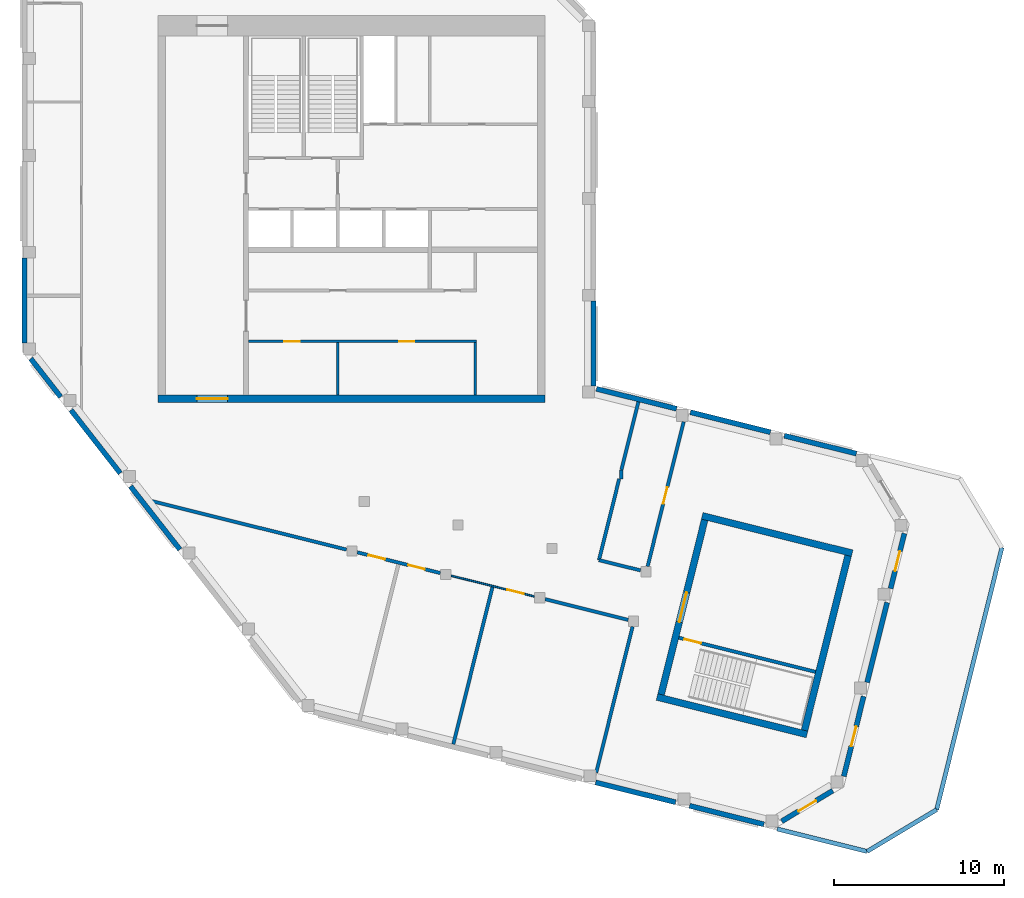
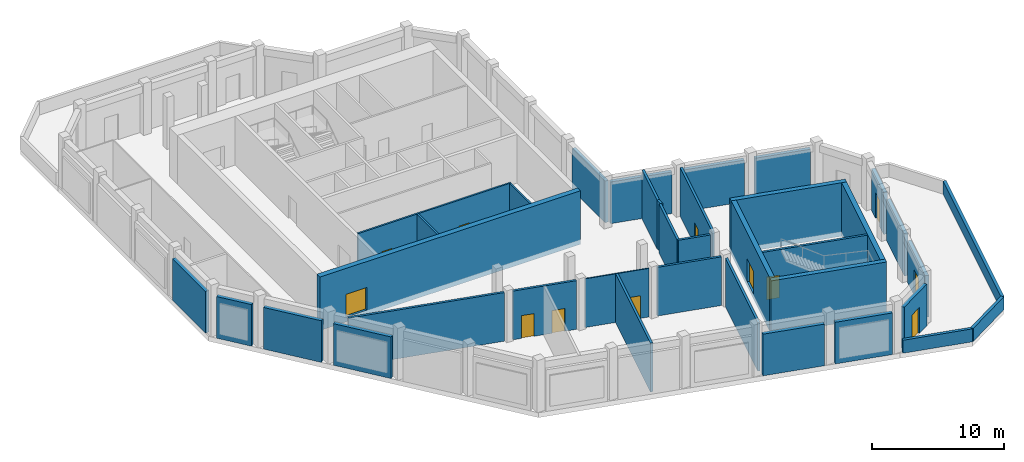
# One storey, part 2 of 5: 37 walls, 12 doors, 12 openings.
"""IFC4 building model written with IfcOpenShell, lengths in metres."""

from ifc_helpers import new_model, si_unit, direction, frame, frame_2d, origin, place, context, subcontext, project, spatial, rectangle, extrude, material, layer, layer_set, type_object, element, fill, save


model = new_model("IFC4")

# Units and contexts
model_context = context("Model", 3, precision=1e-05, world=origin(), true_north=direction((0.0, 1.0)))
body_context = subcontext(model_context, "Body", "Model", "MODEL_VIEW")
ifc_project = project(units=[si_unit("LENGTHUNIT", "METRE"), si_unit("AREAUNIT", "SQUARE_METRE"), si_unit("VOLUMEUNIT", "CUBIC_METRE"), si_unit("PLANEANGLEUNIT", "RADIAN"), si_unit("MASSUNIT", "GRAM", prefix="KILO")], contexts=[model_context])

# Site, building, storey
site_placement = place(None, origin())
site = spatial("IfcSite", under=ifc_project, at=site_placement, CompositionType="ELEMENT")
building_placement = place(site_placement, origin())
building = spatial("IfcBuilding", under=site, at=building_placement, Name="Meshkara Civic Tower", CompositionType="ELEMENT")
storey_placement = place(building_placement, frame((0.0, 0.0, 409.800048828125)))
storey = spatial("IfcBuildingStorey", under=building, at=storey_placement, Name="L94 Crown", CompositionType="ELEMENT", Elevation=409.800048828125)

# Walls
ifc_material_1 = material(Name="Insulated infill panel with bronze anodised aluminium cladding", Category="aluminium")
ifc_layer_1 = layer(ifc_material_1, 0.300048828125)
ifc_layer_set_1 = layer_set([ifc_layer_1], Name="CROWN WALL 300")
wall_type_1 = type_object("IfcWallType", Name="CROWN WALL 300", PredefinedType="SOLIDWALL", material=ifc_layer_set_1)
wall_1_placement = place(storey_placement, frame((49.132080078125, 11.093017578125, 0.0), z_axis=(0.0, 0.0, 1.0), x_axis=(-0.970270622343, 0.24202255973, 0.0)))
element("IfcWall", 1, at=wall_1_placement, inside=storey, type_object=wall_type_1, Name="Crown external wall", PredefinedType="SOLIDWALL", context=body_context, shape_type="SweptSolid", body=[
    extrude(rectangle(XDim=4.366943359375, YDim=0.300048828125, at=frame_2d((2.18359375, 0.0))), origin(), (0.0, 0.0, 1.0), 3.849853515625),
])
wall_2_placement = place(storey_placement, frame((44.072021484375, 12.35498046875, 0.0), z_axis=(0.0, 0.0, 1.0), x_axis=(-0.970272614069, 0.242014574744, 0.0)))
element("IfcWall", 2, at=wall_2_placement, inside=storey, type_object=wall_type_1, Name="Crown external wall", PredefinedType="SOLIDWALL", context=body_context, shape_type="SweptSolid", body=[
    extrude(rectangle(XDim=4.851318359375, YDim=0.300048828125, at=frame_2d((2.42578125, 0.0))), origin(), (0.0, 0.0, 1.0), 3.849853515625),
])
wall_3_placement = place(storey_placement, frame((38.5419921875, 13.73388671875, 0.0), z_axis=(0.0, 0.0, 1.0), x_axis=(-0.970284401049, 0.241967314076, 0.0)))
element("IfcWall", 3, at=wall_3_placement, inside=storey, type_object=wall_type_1, Name="Crown external wall", PredefinedType="SOLIDWALL", context=body_context, shape_type="SweptSolid", body=[
    extrude(rectangle(XDim=4.852294921875, YDim=0.300048828125, at=frame_2d((2.42626953125, 0.0))), origin(), (0.0, 0.0, 1.0), 3.849853515625),
])
for number, where, z_axis, x_axis, name in (
    (4, (33.64990234375, 15.069091796875, 0.0), (0.0, 0.0, 1.0), (0.0, 1.0, 0.0), "Crown external wall"),
    (5, (0.14990234375, 22.60498046875, 0.0), (0.0, 0.0, 1.0), (0.0, -1.0, 0.0), "Crown external wall"),
):
    element("IfcWall", number, at=place(storey_placement, frame(where, z_axis=z_axis, x_axis=x_axis)), inside=storey, type_object=wall_type_1, Name=name, PredefinedType="SOLIDWALL", context=body_context, shape_type="SweptSolid", body=[
        extrude(rectangle(XDim=5.0, YDim=0.300048828125, at=frame_2d((2.5, 0.0))), origin(), (0.0, 0.0, 1.0), 3.849853515625),
    ])
wall_4_placement = place(storey_placement, frame((0.51611328125, 16.68310546875, 0.0), z_axis=(0.0, 0.0, 1.0), x_axis=(0.615483207854, -0.788149998953, 0.0)))
element("IfcWall", 6, at=wall_4_placement, inside=storey, type_object=wall_type_1, Name="Crown external wall", PredefinedType="SOLIDWALL", context=body_context, shape_type="SweptSolid", body=[
    extrude(rectangle(XDim=2.857666015625, YDim=0.300048828125, at=frame_2d((1.4287109375, 0.0))), origin(), (0.0, 0.0, 1.0), 3.849853515625),
])
wall_5_placement = place(storey_placement, frame((2.8798828125, 13.656982421875, 0.0), z_axis=(0.0, 0.0, 1.0), x_axis=(0.61578764214, -0.787912165021, 0.0)))
element("IfcWall", 7, at=wall_5_placement, inside=storey, type_object=wall_type_1, Name="Crown external wall", PredefinedType="SOLIDWALL", context=body_context, shape_type="SweptSolid", body=[
    extrude(rectangle(XDim=4.717529296875, YDim=0.300048828125, at=frame_2d((2.35888671875, 0.0))), origin(), (0.0, 0.0, 1.0), 3.849853515625),
])
wall_6_placement = place(storey_placement, frame((6.388916015625, 9.1650390625, 0.0), z_axis=(0.0, 0.0, 1.0), x_axis=(0.61568721755, -0.7879906409, 0.0)))
element("IfcWall", 8, at=wall_6_placement, inside=storey, type_object=wall_type_1, Name="Crown external wall", PredefinedType="SOLIDWALL", context=body_context, shape_type="SweptSolid", body=[
    extrude(rectangle(XDim=4.71826171875, YDim=0.300048828125, at=frame_2d((2.359130859375, 0.0))), origin(), (0.0, 0.0, 1.0), 3.849853515625),
])
wall_7_placement = place(storey_placement, frame((33.781982421875, -8.26904296875, 0.0), z_axis=(0.0, 0.0, 1.0), x_axis=(0.970343440388, -0.241730444287, 0.0)))
element("IfcWall", 9, at=wall_7_placement, inside=storey, type_object=wall_type_1, Name="Crown external wall", PredefinedType="SOLIDWALL", context=body_context, shape_type="SweptSolid", body=[
    extrude(rectangle(XDim=4.851806640625, YDim=0.300048828125, at=frame_2d((2.42578125, 0.0))), origin(), (0.0, 0.0, 1.0), 3.849853515625),
])
wall_8_placement = place(storey_placement, frame((39.31298828125, -9.64794921875, 0.0), z_axis=(0.0, 0.0, 1.0), x_axis=(0.970295156014, -0.241924182784, 0.0)))
element("IfcWall", 10, at=wall_8_placement, inside=storey, type_object=wall_type_1, Name="Crown external wall", PredefinedType="SOLIDWALL", context=body_context, shape_type="SweptSolid", body=[
    extrude(rectangle(XDim=4.510009765625, YDim=0.300048828125, at=frame_2d((2.2548828125, 0.0))), origin(), (0.0, 0.0, 1.0), 3.849853515625),
])

# Wall, opening, door
wall_9_placement = place(storey_placement, frame((44.739013671875, -10.56005859375, 0.0), z_axis=(0.0, 0.0, 1.0), x_axis=(0.857216082003, 0.514956880481, 0.0)))
wall_9 = element("IfcWall", 11, at=wall_9_placement, inside=storey, type_object=wall_type_1, Name="Crown external wall", PredefinedType="SOLIDWALL", context=body_context, shape_type="SweptSolid", body=[
    extrude(rectangle(XDim=3.503173828125, YDim=0.300048828125, at=frame_2d((1.75146484375, 0.0))), origin(), (0.0, 0.0, 1.0), 3.849853515625),
])
opening_1_placement = place(wall_9_placement, frame((1.152099609375, 0.0, 0.0)))
opening_1 = element("IfcOpeningElement", 12, at=opening_1_placement, cuts=wall_9, Name="Opening L94 Crown-L005", PredefinedType="OPENING", context=body_context, shape_type="SweptSolid", body=[
    extrude(rectangle(XDim=1.199951171875, YDim=2.39990234375, at=frame_2d((0.60009765625, 1.199951171875))), frame((0.0, 0.159912109375, 0.0), z_axis=(0.0, -1.0, 0.0), x_axis=(1.0, 0.0, 0.0)), (0.0, 0.0, 1.0), 0.320068359375),
])
ifc_material_2 = material(Name="Steel S355", Category="steel")
door_type_1 = type_object("IfcDoorType", Name="ROOF ACCESS DOOR 1200x2400", OperationType="SINGLE_SWING_LEFT", PredefinedType="DOOR", material=ifc_material_2)
door_1_placement = place(opening_1_placement, origin())
door_1 = element("IfcDoor", 13, at=door_1_placement, inside=storey, type_object=door_type_1, Name="L94 Crown-L005", OperationType="SINGLE_SWING_LEFT", OverallHeight=2.39990234375, OverallWidth=1.199951171875, PredefinedType="DOOR", context=body_context, shape_type="SweptSolid", body=[
    extrude(rectangle(XDim=1.199951171875, YDim=2.39990234375, at=frame_2d((0.60009765625, 1.199951171875))), frame((0.0, 0.02490234375, 0.0), z_axis=(0.0, -1.0, 0.0), x_axis=(1.0, 0.0, 0.0)), (0.0, 0.0, 1.0), 0.050048828125),
])
fill(opening_1, door_1)

wall_10_placement = place(storey_placement, frame((48.39306640625, -7.912109375, 0.0), z_axis=(0.0, 0.0, 1.0), x_axis=(0.241919943578, 0.970296212968, 0.0)))
wall_10 = element("IfcWall", 14, at=wall_10_placement, inside=storey, type_object=wall_type_1, Name="Crown external wall", PredefinedType="SOLIDWALL", context=body_context, shape_type="SweptSolid", body=[
    extrude(rectangle(XDim=4.85205078125, YDim=0.300048828125, at=frame_2d((2.426025390625, 0.0))), origin(), (0.0, 0.0, 1.0), 3.849853515625),
])
opening_2_placement = place(wall_10_placement, frame((1.825927734375, 0.0, 0.0)))
opening_2 = element("IfcOpeningElement", 15, at=opening_2_placement, cuts=wall_10, Name="Opening L94 Crown-L006", PredefinedType="OPENING", context=body_context, shape_type="SweptSolid", body=[
    extrude(rectangle(XDim=1.199951171875, YDim=2.39990234375, at=frame_2d((0.60009765625, 1.199951171875))), frame((0.0, 0.159912109375, 0.0), z_axis=(0.0, -1.0, 0.0), x_axis=(1.0, 0.0, 0.0)), (0.0, 0.0, 1.0), 0.320068359375),
])
door_2_placement = place(opening_2_placement, origin())
door_2 = element("IfcDoor", 16, at=door_2_placement, inside=storey, type_object=door_type_1, Name="L94 Crown-L006", OperationType="SINGLE_SWING_LEFT", OverallHeight=2.39990234375, OverallWidth=1.199951171875, PredefinedType="DOOR", context=body_context, shape_type="SweptSolid", body=[
    extrude(rectangle(XDim=1.199951171875, YDim=2.39990234375, at=frame_2d((0.60009765625, 1.199951171875))), frame((0.0, 0.02490234375, 0.0), z_axis=(0.0, -1.0, 0.0), x_axis=(1.0, 0.0, 0.0)), (0.0, 0.0, 1.0), 0.050048828125),
])
fill(opening_2, door_2)

# Wall
wall_11_placement = place(storey_placement, frame((49.77197265625, -2.381103515625, 0.0), z_axis=(0.0, 0.0, 1.0), x_axis=(0.242014574744, 0.970272614069, 0.0)))
element("IfcWall", 17, at=wall_11_placement, inside=storey, type_object=wall_type_1, Name="Crown external wall", PredefinedType="SOLIDWALL", context=body_context, shape_type="SweptSolid", body=[
    extrude(rectangle(XDim=4.851318359375, YDim=0.300048828125, at=frame_2d((2.42578125, 0.0))), origin(), (0.0, 0.0, 1.0), 3.849853515625),
])

# Wall, opening, door
wall_12_placement = place(storey_placement, frame((51.15087890625, 3.14892578125, 0.0), z_axis=(0.0, 0.0, 1.0), x_axis=(0.242002297387, 0.970275676321, 0.0)))
wall_12 = element("IfcWall", 18, at=wall_12_placement, inside=storey, type_object=wall_type_1, Name="Crown external wall", PredefinedType="SOLIDWALL", context=body_context, shape_type="SweptSolid", body=[
    extrude(rectangle(XDim=3.33935546875, YDim=0.300048828125, at=frame_2d((1.669677734375, 0.0))), origin(), (0.0, 0.0, 1.0), 3.849853515625),
])
opening_3_placement = place(wall_12_placement, frame((1.069091796875, 0.0, 0.0)))
opening_3 = element("IfcOpeningElement", 19, at=opening_3_placement, cuts=wall_12, Name="Opening L94 Crown-L007", PredefinedType="OPENING", context=body_context, shape_type="SweptSolid", body=[
    extrude(rectangle(XDim=1.199951171875, YDim=2.39990234375, at=frame_2d((0.60009765625, 1.199951171875))), frame((0.0, 0.159912109375, 0.0), z_axis=(0.0, -1.0, 0.0), x_axis=(1.0, 0.0, 0.0)), (0.0, 0.0, 1.0), 0.320068359375),
])
door_3_placement = place(opening_3_placement, origin())
door_3 = element("IfcDoor", 20, at=door_3_placement, inside=storey, type_object=door_type_1, Name="L94 Crown-L007", OperationType="SINGLE_SWING_LEFT", OverallHeight=2.39990234375, OverallWidth=1.199951171875, PredefinedType="DOOR", context=body_context, shape_type="SweptSolid", body=[
    extrude(rectangle(XDim=1.199951171875, YDim=2.39990234375, at=frame_2d((0.60009765625, 1.199951171875))), frame((0.0, 0.02490234375, 0.0), z_axis=(0.0, -1.0, 0.0), x_axis=(1.0, 0.0, 0.0)), (0.0, 0.0, 1.0), 0.050048828125),
])
fill(opening_3, door_3)

# Wall, openings, doors
ifc_material_3 = material(Name="Blockwork", Category="masonry")
ifc_layer_2 = layer(ifc_material_3, 0.14990234375)
ifc_layer_set_2 = layer_set([ifc_layer_2], Name="Core partition 150")
wall_type_2 = type_object("IfcWallType", Name="Core partition 150", PredefinedType="PARTITIONING", material=ifc_layer_set_2)
wall_13_placement = place(storey_placement, frame((13.35009765625, 17.699951171875, 0.0), z_axis=(0.0, 0.0, 1.0), x_axis=(1.0, 0.0, 0.0)))
wall_13 = element("IfcWall", 21, at=wall_13_placement, inside=storey, type_object=wall_type_2, Name="L94 Crown-C005", PredefinedType="PARTITIONING", context=body_context, shape_type="SweptSolid", body=[
    extrude(rectangle(XDim=13.4248046875, YDim=0.14990234375, at=frame_2d((6.71240234375, 0.0))), origin(), (0.0, 0.0, 1.0), 4.5),
])
opening_4_placement = place(wall_13_placement, frame((2.10009765625, 0.0, 0.0)))
opening_4 = element("IfcOpeningElement", 22, at=opening_4_placement, cuts=wall_13, Name="Opening L94 Crown-K005", PredefinedType="OPENING", context=body_context, shape_type="SweptSolid", body=[
    extrude(rectangle(XDim=0.89990234375, YDim=2.10009765625, at=frame_2d((0.449951171875, 1.050048828125))), frame((0.0, 0.0849609375, 0.0), z_axis=(0.0, -1.0, 0.0), x_axis=(1.0, 0.0, 0.0)), (0.0, 0.0, 1.0), 0.169921875),
])
opening_5_placement = place(wall_13_placement, frame((8.85009765625, 0.0, 0.0)))
opening_5 = element("IfcOpeningElement", 23, at=opening_5_placement, cuts=wall_13, Name="Opening L94 Crown-K006", PredefinedType="OPENING", context=body_context, shape_type="SweptSolid", body=[
    extrude(rectangle(XDim=0.89990234375, YDim=2.10009765625, at=frame_2d((0.449951171875, 1.050048828125))), frame((0.0, 0.0849609375, 0.0), z_axis=(0.0, -1.0, 0.0), x_axis=(1.0, 0.0, 0.0)), (0.0, 0.0, 1.0), 0.169921875),
])
ifc_material_4 = material(Name="Timber door leaf in steel frame", Category="steel")
door_type_2 = type_object("IfcDoorType", Name="Core room door 900", OperationType="SINGLE_SWING_LEFT", PredefinedType="DOOR", material=ifc_material_4)
door_4_placement = place(opening_4_placement, origin())
door_4 = element("IfcDoor", 24, at=door_4_placement, inside=storey, type_object=door_type_2, Name="L94 Crown-K005", OperationType="SINGLE_SWING_LEFT", OverallHeight=2.10009765625, OverallWidth=0.89990234375, PredefinedType="DOOR", context=body_context, shape_type="SweptSolid", body=[
    extrude(rectangle(XDim=0.89990234375, YDim=2.10009765625, at=frame_2d((0.449951171875, 1.050048828125))), frame((0.0, 0.02490234375, 0.0), z_axis=(0.0, -1.0, 0.0), x_axis=(1.0, 0.0, 0.0)), (0.0, 0.0, 1.0), 0.050048828125),
])
fill(opening_4, door_4)
door_5_placement = place(opening_5_placement, origin())
door_5 = element("IfcDoor", 25, at=door_5_placement, inside=storey, type_object=door_type_2, Name="L94 Crown-K006", OperationType="SINGLE_SWING_LEFT", OverallHeight=2.10009765625, OverallWidth=0.89990234375, PredefinedType="DOOR", context=body_context, shape_type="SweptSolid", body=[
    extrude(rectangle(XDim=0.89990234375, YDim=2.10009765625, at=frame_2d((0.449951171875, 1.050048828125))), frame((0.0, 0.02490234375, 0.0), z_axis=(0.0, -1.0, 0.0), x_axis=(1.0, 0.0, 0.0)), (0.0, 0.0, 1.0), 0.050048828125),
])
fill(opening_5, door_5)

# Walls
for number, where, z_axis, x_axis, name in (
    (26, (18.60009765625, 14.550048828125, 0.0), (0.0, 0.0, 1.0), (0.0, 1.0, 0.0), "L94 Crown-C014"),
    (27, (26.699951171875, 14.550048828125, 0.0), (0.0, 0.0, 1.0), (0.0, 1.0, 0.0), "L94 Crown-C021"),
):
    element("IfcWall", number, at=place(storey_placement, frame(where, z_axis=z_axis, x_axis=x_axis)), inside=storey, type_object=wall_type_2, Name=name, PredefinedType="PARTITIONING", context=body_context, shape_type="SweptSolid", body=[
        extrude(rectangle(XDim=3.074951171875, YDim=0.14990234375, at=frame_2d((1.53759765625, 0.0))), origin(), (0.0, 0.0, 1.0), 4.5),
    ])

# Wall, opening, door
ifc_material_5 = material(Name="Concrete C50", Category="concrete")
ifc_layer_3 = layer(ifc_material_5, 0.449951171875)
ifc_layer_set_3 = layer_set([ifc_layer_3], Name="Core ring wall 450 C50")
wall_type_3 = type_object("IfcWallType", Name="Core ring wall 450 C50", PredefinedType="SHEAR", material=ifc_layer_set_3)
wall_14_placement = place(storey_placement, frame((8.0, 14.324951171875, -0.449951171875), z_axis=(0.0, 0.0, 1.0), x_axis=(1.0, 0.0, 0.0)))
wall_14 = element("IfcWall", 28, at=wall_14_placement, inside=storey, type_object=wall_type_3, Name="L94 Crown-C001", PredefinedType="SHEAR", context=body_context, shape_type="SweptSolid", body=[
    extrude(rectangle(XDim=22.800048828125, YDim=0.449951171875, at=frame_2d((11.39990234375, 0.0))), origin(), (0.0, 0.0, 1.0), 4.949951171875),
])
opening_6_placement = place(wall_14_placement, frame((2.300048828125, 0.0, 0.449951171875)))
opening_6 = element("IfcOpeningElement", 29, at=opening_6_placement, cuts=wall_14, Name="Opening L94 Crown-K019", PredefinedType="OPENING", context=body_context, shape_type="SweptSolid", body=[
    extrude(rectangle(XDim=1.800048828125, YDim=2.10009765625, at=frame_2d((0.89990234375, 1.050048828125))), frame((0.0, 0.23486328125, 0.0), z_axis=(0.0, -1.0, 0.0), x_axis=(1.0, 0.0, 0.0)), (0.0, 0.0, 1.0), 0.469970703125),
])
ifc_material_6 = material(Name="Fire-rated door leaf in steel frame", Category="steel")
door_type_3 = type_object("IfcDoorType", Name="Core double door 1800 EI 60", OperationType="DOUBLE_DOOR_SINGLE_SWING", PredefinedType="DOOR", material=ifc_material_6)
door_6_placement = place(opening_6_placement, origin())
door_6 = element("IfcDoor", 30, at=door_6_placement, inside=storey, type_object=door_type_3, Name="L94 Crown-K019", OperationType="DOUBLE_DOOR_SINGLE_SWING", OverallHeight=2.10009765625, OverallWidth=1.800048828125, PredefinedType="DOOR", context=body_context, shape_type="SweptSolid", body=[
    extrude(rectangle(XDim=1.800048828125, YDim=2.10009765625, at=frame_2d((0.89990234375, 1.050048828125))), frame((0.0, 0.02490234375, 0.0), z_axis=(0.0, -1.0, 0.0), x_axis=(1.0, 0.0, 0.0)), (0.0, 0.0, 1.0), 0.050048828125),
])
fill(opening_6, door_6)

ifc_material_7 = material(Name="Corridor wall 100")
ifc_layer_4 = layer(ifc_material_7, 0.10009765625)
ifc_layer_set_4 = layer_set([ifc_layer_4], Name="Corridor wall 100")
wall_type_4 = type_object("IfcWallType", Name="Corridor wall 100", PredefinedType="PARTITIONING", material=ifc_layer_set_4)
wall_15_placement = place(storey_placement, frame((25.27392578125, 3.902099609375, 0.0), z_axis=(0.0, 0.0, 1.0), x_axis=(0.970262034576, -0.242056985565, 0.0)))
wall_15 = element("IfcWall", 31, at=wall_15_placement, inside=storey, type_object=wall_type_4, Name="L94 Crown-R005", PredefinedType="PARTITIONING", context=body_context, shape_type="SweptSolid", body=[
    extrude(rectangle(XDim=5.041015625, YDim=0.10009765625, at=frame_2d((2.5205078125, 0.0))), origin(), (0.0, 0.0, 1.0), 4.5),
])
opening_7_placement = place(wall_15_placement, frame((3.39990234375, 0.0, 0.0)))
opening_7 = element("IfcOpeningElement", 32, at=opening_7_placement, cuts=wall_15, Name="Opening L94 Crown-P003", PredefinedType="OPENING", context=body_context, shape_type="SweptSolid", body=[
    extrude(rectangle(XDim=1.0, YDim=2.10009765625, at=frame_2d((0.5, 1.050048828125))), frame((0.0, 0.06005859375, 0.0), z_axis=(0.0, -1.0, 0.0), x_axis=(1.0, 0.0, 0.0)), (0.0, 0.0, 1.0), 0.1201171875),
])
ifc_material_8 = material(Name="Door 1000 x 2100")
door_type_4 = type_object("IfcDoorType", Name="Door 1000 x 2100", OperationType="SINGLE_SWING_LEFT", PredefinedType="DOOR", material=ifc_material_8)
door_7_placement = place(opening_7_placement, origin())
door_7 = element("IfcDoor", 33, at=door_7_placement, inside=storey, type_object=door_type_4, Name="L94 Crown-P003", OperationType="SINGLE_SWING_RIGHT", OverallHeight=2.10009765625, OverallWidth=1.0, PredefinedType="DOOR", context=body_context, shape_type="SweptSolid", body=[
    extrude(rectangle(XDim=1.0, YDim=2.10009765625, at=frame_2d((0.5, 1.050048828125))), frame((0.0, 0.02490234375, 0.0), z_axis=(0.0, -1.0, 0.0), x_axis=(1.0, 0.0, 0.0)), (0.0, 0.0, 1.0), 0.050048828125),
])
fill(opening_7, door_7)

# Walls
ifc_material_9 = material(Name="Concrete C50", Category="concrete")
ifc_layer_5 = layer(ifc_material_9, 0.39990234375)
ifc_layer_set_5 = layer_set([ifc_layer_5], Name="End core ring wall 400 C50")
wall_type_5 = type_object("IfcWallType", Name="End core ring wall 400 C50", PredefinedType="SHEAR", material=ifc_layer_set_5)
for number, where, z_axis, x_axis, name in (
    (34, (37.39599609375, -3.242919921875, -0.449951171875), (0.0, 0.0, 1.0), (0.970281210621, -0.241980107272, 0.0), "L94 Crown-C023"),
    (35, (40.056884765625, 7.429931640625, -0.449951171875), (0.0, 0.0, 1.0), (0.970287509026, -0.241954850805, 0.0), "L94 Crown-C024"),
):
    element("IfcWall", number, at=place(storey_placement, frame(where, z_axis=z_axis, x_axis=x_axis)), inside=storey, type_object=wall_type_5, Name=name, PredefinedType="SHEAR", context=body_context, shape_type="SweptSolid", body=[
        extrude(rectangle(XDim=9.1005859375, YDim=0.39990234375, at=frame_2d((4.55029296875, 0.0))), origin(), (0.0, 0.0, 1.0), 4.949951171875),
    ])

# Wall, opening, door
wall_16_placement = place(storey_placement, frame((37.638916015625, -3.097900390625, -0.449951171875), z_axis=(0.0, 0.0, 1.0), x_axis=(0.241869030534, 0.970308905488, 0.0)))
wall_16 = element("IfcWall", 36, at=wall_16_placement, inside=storey, type_object=wall_type_5, Name="L94 Crown-C025", PredefinedType="SHEAR", context=body_context, shape_type="SweptSolid", body=[
    extrude(rectangle(XDim=10.6005859375, YDim=0.39990234375, at=frame_2d((5.30029296875, 0.0))), origin(), (0.0, 0.0, 1.0), 4.949951171875),
])
opening_8_placement = place(wall_16_placement, frame((4.39990234375, 0.0, 0.449951171875)))
opening_8 = element("IfcOpeningElement", 37, at=opening_8_placement, cuts=wall_16, Name="Opening L94 Crown-K202", PredefinedType="OPENING", context=body_context, shape_type="SweptSolid", body=[
    extrude(rectangle(XDim=1.800048828125, YDim=2.10009765625, at=frame_2d((0.89990234375, 1.050048828125))), frame((0.0, 0.2099609375, 0.0), z_axis=(0.0, -1.0, 0.0), x_axis=(1.0, 0.0, 0.0)), (0.0, 0.0, 1.0), 0.419921875),
])
door_8_placement = place(opening_8_placement, origin())
door_8 = element("IfcDoor", 38, at=door_8_placement, inside=storey, type_object=door_type_3, Name="L94 Crown-K202", OperationType="DOUBLE_DOOR_SINGLE_SWING", OverallHeight=2.10009765625, OverallWidth=1.800048828125, PredefinedType="DOOR", context=body_context, shape_type="SweptSolid", body=[
    extrude(rectangle(XDim=1.800048828125, YDim=2.10009765625, at=frame_2d((0.89990234375, 1.050048828125))), frame((0.0, 0.02490234375, 0.0), z_axis=(0.0, -1.0, 0.0), x_axis=(1.0, 0.0, 0.0)), (0.0, 0.0, 1.0), 0.050048828125),
])
fill(opening_8, door_8)

# Walls
wall_17_placement = place(storey_placement, frame((46.080078125, -5.201904296875, -0.449951171875), z_axis=(0.0, 0.0, 1.0), x_axis=(0.241977390218, 0.970281888228, 0.0)))
element("IfcWall", 39, at=wall_17_placement, inside=storey, type_object=wall_type_5, Name="L94 Crown-C026", PredefinedType="SHEAR", context=body_context, shape_type="SweptSolid", body=[
    extrude(rectangle(XDim=10.599853515625, YDim=0.39990234375, at=frame_2d((5.2998046875, 0.0))), origin(), (0.0, 0.0, 1.0), 4.949951171875),
])
ifc_material_10 = material(Name="Fire-rated wall 200")
ifc_layer_6 = layer(ifc_material_10, 0.199951171875)
ifc_layer_set_6 = layer_set([ifc_layer_6], Name="Fire-rated wall 200")
wall_type_6 = type_object("IfcWallType", Name="Fire-rated wall 200", PredefinedType="PARTITIONING", material=ifc_layer_set_6)
wall_18_placement = place(storey_placement, frame((7.1650390625, 8.4169921875, 0.0), z_axis=(0.0, 0.0, 1.0), x_axis=(0.970289382388, -0.241947338122, 0.0)))
element("IfcWall", 40, at=wall_18_placement, inside=storey, type_object=wall_type_6, Name="L94 Crown-R003", PredefinedType="PARTITIONING", context=body_context, shape_type="SweptSolid", body=[
    extrude(rectangle(XDim=12.304443359375, YDim=0.199951171875, at=frame_2d((6.15234375, 0.0))), origin(), (0.0, 0.0, 1.0), 4.5),
])

# Wall, openings, doors
wall_19_placement = place(storey_placement, frame((19.743896484375, 5.281005859375, 0.0), z_axis=(0.0, 0.0, 1.0), x_axis=(0.970262058426, -0.242056889963, 0.0)))
wall_19 = element("IfcWall", 41, at=wall_19_placement, inside=storey, type_object=wall_type_6, Name="L94 Crown-R004", PredefinedType="PARTITIONING", context=body_context, shape_type="SweptSolid", body=[
    extrude(rectangle(XDim=5.0400390625, YDim=0.199951171875, at=frame_2d((2.52001953125, 0.0))), origin(), (0.0, 0.0, 1.0), 4.5),
])
opening_9_placement = place(wall_19_placement, frame((0.679931640625, 0.0, 0.0)))
opening_9 = element("IfcOpeningElement", 42, at=opening_9_placement, cuts=wall_19, Name="Opening L94 Crown-P001", PredefinedType="OPENING", context=body_context, shape_type="SweptSolid", body=[
    extrude(rectangle(XDim=1.0, YDim=2.10009765625, at=frame_2d((0.5, 1.050048828125))), frame((0.0, 0.10986328125, 0.0), z_axis=(0.0, -1.0, 0.0), x_axis=(1.0, 0.0, 0.0)), (0.0, 0.0, 1.0), 0.219970703125),
])
opening_10_placement = place(wall_19_placement, frame((3.09912109375, 0.0, 0.0)))
opening_10 = element("IfcOpeningElement", 43, at=opening_10_placement, cuts=wall_19, Name="Opening L94 Crown-P002", PredefinedType="OPENING", context=body_context, shape_type="SweptSolid", body=[
    extrude(rectangle(XDim=1.0, YDim=2.10009765625, at=frame_2d((0.5, 1.050048828125))), frame((0.0, 0.10986328125, 0.0), z_axis=(0.0, -1.0, 0.0), x_axis=(1.0, 0.0, 0.0)), (0.0, 0.0, 1.0), 0.219970703125),
])
door_9_placement = place(opening_9_placement, origin())
door_9 = element("IfcDoor", 44, at=door_9_placement, inside=storey, type_object=door_type_4, Name="L94 Crown-P001", OperationType="SINGLE_SWING_RIGHT", OverallHeight=2.10009765625, OverallWidth=1.0, PredefinedType="DOOR", context=body_context, shape_type="SweptSolid", body=[
    extrude(rectangle(XDim=1.0, YDim=2.10009765625, at=frame_2d((0.5, 1.050048828125))), frame((0.0, 0.02490234375, 0.0), z_axis=(0.0, -1.0, 0.0), x_axis=(1.0, 0.0, 0.0)), (0.0, 0.0, 1.0), 0.050048828125),
])
fill(opening_9, door_9)
door_10_placement = place(opening_10_placement, origin())
door_10 = element("IfcDoor", 45, at=door_10_placement, inside=storey, type_object=door_type_4, Name="L94 Crown-P002", OperationType="SINGLE_SWING_LEFT", OverallHeight=2.10009765625, OverallWidth=1.0, PredefinedType="DOOR", context=body_context, shape_type="SweptSolid", body=[
    extrude(rectangle(XDim=1.0, YDim=2.10009765625, at=frame_2d((0.5, 1.050048828125))), frame((0.0, 0.02490234375, 0.0), z_axis=(0.0, -1.0, 0.0), x_axis=(1.0, 0.0, 0.0)), (0.0, 0.0, 1.0), 0.050048828125),
])
fill(opening_10, door_10)

# Walls
wall_20_placement = place(storey_placement, frame((30.804931640625, 2.52294921875, 0.0), z_axis=(0.0, 0.0, 1.0), x_axis=(0.970273408026, -0.242011391629, 0.0)))
element("IfcWall", 46, at=wall_20_placement, inside=storey, type_object=wall_type_6, Name="L94 Crown-R006", PredefinedType="PARTITIONING", context=body_context, shape_type="SweptSolid", body=[
    extrude(rectangle(XDim=5.041015625, YDim=0.199951171875, at=frame_2d((2.5205078125, 0.0))), origin(), (0.0, 0.0, 1.0), 4.5),
])
wall_21_placement = place(storey_placement, frame((33.97607421875, 4.823974609375, 0.0), z_axis=(0.0, 0.0, 1.0), x_axis=(0.241940400058, 0.970291112409, 0.0)))
element("IfcWall", 47, at=wall_21_placement, inside=storey, type_object=wall_type_6, Name="L94 Crown-R007", PredefinedType="PARTITIONING", context=body_context, shape_type="SweptSolid", body=[
    extrude(rectangle(XDim=4.92236328125, YDim=0.199951171875, at=frame_2d((2.461181640625, 0.0))), origin(), (0.0, 0.0, 1.0), 4.5),
])
wall_22_placement = place(storey_placement, frame((35.300048828125, 9.60009765625, 0.0), z_axis=(0.0, 0.0, 1.0), x_axis=(0.0, 1.0, 0.0)))
element("IfcWall", 48, at=wall_22_placement, inside=storey, type_object=wall_type_6, Name="L94 Crown-R008", PredefinedType="PARTITIONING", context=body_context, shape_type="SweptSolid", body=[
    extrude(rectangle(XDim=0.533935546875, YDim=0.199951171875, at=frame_2d((0.26708984375, 0.0))), origin(), (0.0, 0.0, 1.0), 4.5),
])
wall_23_placement = place(storey_placement, frame((35.300048828125, 10.134033203125, 0.0), z_axis=(0.0, 0.0, 1.0), x_axis=(0.24203457236, 0.970267625855, 0.0)))
element("IfcWall", 49, at=wall_23_placement, inside=storey, type_object=wall_type_6, Name="L94 Crown-R009", PredefinedType="PARTITIONING", context=body_context, shape_type="SweptSolid", body=[
    extrude(rectangle(XDim=4.127685546875, YDim=0.199951171875, at=frame_2d((2.06396484375, 0.0))), origin(), (0.0, 0.0, 1.0), 4.5),
])
wall_24_placement = place(storey_placement, frame((35.9560546875, 0.903076171875, 0.0), z_axis=(0.0, 0.0, 1.0), x_axis=(-0.241932473616, -0.970293088819, 0.0)))
element("IfcWall", 50, at=wall_24_placement, inside=storey, type_object=wall_type_6, Name="L94 Crown-R010", PredefinedType="PARTITIONING", context=body_context, shape_type="SweptSolid", body=[
    extrude(rectangle(XDim=8.858154296875, YDim=0.199951171875, at=frame_2d((4.42919921875, 0.0))), origin(), (0.0, 0.0, 1.0), 4.5),
])
wall_25_placement = place(storey_placement, frame((36.422119140625, 4.214111328125, 0.0), z_axis=(0.0, 0.0, 1.0), x_axis=(-0.97029611866, 0.24192032183, 0.0)))
element("IfcWall", 51, at=wall_25_placement, inside=storey, type_object=wall_type_6, Name="L94 Crown-R011", PredefinedType="PARTITIONING", context=body_context, shape_type="SweptSolid", body=[
    extrude(rectangle(XDim=2.52099609375, YDim=0.199951171875, at=frame_2d((1.260498046875, 0.0))), origin(), (0.0, 0.0, 1.0), 4.5),
])

# Wall, opening, door
wall_26_placement = place(storey_placement, frame((38.965087890625, 12.969970703125, 0.0), z_axis=(0.0, 0.0, 1.0), x_axis=(-0.242005434928, -0.970274893762, 0.0)))
wall_26 = element("IfcWall", 52, at=wall_26_placement, inside=storey, type_object=wall_type_6, Name="L94 Crown-R012", PredefinedType="PARTITIONING", context=body_context, shape_type="SweptSolid", body=[
    extrude(rectangle(XDim=8.77685546875, YDim=0.199951171875, at=frame_2d((4.388427734375, 0.0))), origin(), (0.0, 0.0, 1.0), 4.5),
])
opening_11_placement = place(wall_26_placement, frame((3.97998046875, 0.0, 0.0)))
opening_11 = element("IfcOpeningElement", 53, at=opening_11_placement, cuts=wall_26, Name="Opening L94 Crown-P004", PredefinedType="OPENING", context=body_context, shape_type="SweptSolid", body=[
    extrude(rectangle(XDim=1.0, YDim=2.10009765625, at=frame_2d((0.5, 1.050048828125))), frame((0.0, 0.10986328125, 0.0), z_axis=(0.0, -1.0, 0.0), x_axis=(1.0, 0.0, 0.0)), (0.0, 0.0, 1.0), 0.219970703125),
])
door_11_placement = place(opening_11_placement, origin())
door_11 = element("IfcDoor", 54, at=door_11_placement, inside=storey, type_object=door_type_4, Name="L94 Crown-P004", OperationType="SINGLE_SWING_RIGHT", OverallHeight=2.10009765625, OverallWidth=1.0, PredefinedType="DOOR", context=body_context, shape_type="SweptSolid", body=[
    extrude(rectangle(XDim=1.0, YDim=2.10009765625, at=frame_2d((0.5, 1.050048828125))), frame((0.0, 0.02490234375, 0.0), z_axis=(0.0, -1.0, 0.0), x_axis=(1.0, 0.0, 0.0)), (0.0, 0.0, 1.0), 0.050048828125),
])
fill(opening_11, door_11)

# Walls
wall_27_placement = place(storey_placement, frame((25.39697265625, -6.02294921875, 0.0), z_axis=(0.0, 0.0, 1.0), x_axis=(0.242000222655, 0.97027619379, 0.0)))
element("IfcWall", 55, at=wall_27_placement, inside=storey, type_object=wall_type_6, Name="L94 Crown-R016", PredefinedType="PARTITIONING", context=body_context, shape_type="SweptSolid", body=[
    extrude(rectangle(XDim=9.5498046875, YDim=0.199951171875, at=frame_2d((4.77490234375, 0.0))), origin(), (0.0, 0.0, 1.0), 4.5),
])
ifc_material_11 = material(Name="Concrete C40", Category="concrete")
ifc_layer_7 = layer(ifc_material_11, 0.25)
ifc_layer_set_7 = layer_set([ifc_layer_7], Name="ROOF PARAPET 250")
wall_type_7 = type_object("IfcWallType", Name="ROOF PARAPET 250", PredefinedType="PARAPET", material=ifc_layer_set_7)
wall_28_placement = place(storey_placement, frame((57.7080078125, 5.554931640625, 0.0), z_axis=(0.0, 0.0, 1.0), x_axis=(-0.241910634319, -0.970298533959, 0.0)))
element("IfcWall", 56, at=wall_28_placement, inside=storey, type_object=wall_type_7, Name="Roof parapet", PredefinedType="PARAPET", context=body_context, shape_type="SweptSolid", body=[
    extrude(rectangle(XDim=15.90234375, YDim=0.25, at=frame_2d((7.951171875, 0.0))), origin(), (0.0, 0.0, 1.0), 1.199951171875),
])
wall_29_placement = place(storey_placement, frame((53.861083984375, -9.875, 0.0), z_axis=(0.0, 0.0, 1.0), x_axis=(-0.857195255703, -0.514991547115, 0.0)))
element("IfcWall", 57, at=wall_29_placement, inside=storey, type_object=wall_type_7, Name="Roof parapet", PredefinedType="PARAPET", context=body_context, shape_type="SweptSolid", body=[
    extrude(rectangle(XDim=4.778564453125, YDim=0.25, at=frame_2d((2.38916015625, 0.0))), origin(), (0.0, 0.0, 1.0), 1.199951171875),
])
wall_30_placement = place(storey_placement, frame((49.764892578125, -12.3359375, 0.0), z_axis=(0.0, 0.0, 1.0), x_axis=(-0.970289613784, 0.241946410147, 0.0)))
element("IfcWall", 58, at=wall_30_placement, inside=storey, type_object=wall_type_7, Name="Roof parapet", PredefinedType="PARAPET", context=body_context, shape_type="SweptSolid", body=[
    extrude(rectangle(XDim=5.4599609375, YDim=0.25, at=frame_2d((2.72998046875, 0.0))), origin(), (0.0, 0.0, 1.0), 1.199951171875),
])

# Wall, opening, door
ifc_material_12 = material(Name="Concrete C40/50", Category="concrete")
ifc_layer_8 = layer(ifc_material_12, 0.199951171875)
ifc_layer_set_8 = layer_set([ifc_layer_8], Name="Stair enclosure wall 200 C40/50")
wall_type_8 = type_object("IfcWallType", Name="Stair enclosure wall 200 C40/50", PredefinedType="SOLIDWALL", material=ifc_layer_set_8)
wall_31_placement = place(storey_placement, frame((38.678955078125, 0.25, 0.0), z_axis=(0.0, 0.0, 1.0), x_axis=(0.970296288869, -0.241919639151, 0.0)))
wall_31 = element("IfcWall", 59, at=wall_31_placement, inside=storey, type_object=wall_type_8, Name="L94 Crown-C027", PredefinedType="SOLIDWALL", context=body_context, shape_type="SweptSolid", body=[
    extrude(rectangle(XDim=8.300537109375, YDim=0.199951171875, at=frame_2d((4.150390625, 0.0))), origin(), (0.0, 0.0, 1.0), 4.5),
])
opening_12_placement = place(wall_31_placement, frame((0.35009765625, 0.0, 0.0)))
opening_12 = element("IfcOpeningElement", 60, at=opening_12_placement, cuts=wall_31, Name="Opening L94 Crown-K201", PredefinedType="OPENING", context=body_context, shape_type="SweptSolid", body=[
    extrude(rectangle(XDim=1.0, YDim=2.10009765625, at=frame_2d((0.5, 1.050048828125))), frame((0.0, 0.10986328125, 0.0), z_axis=(0.0, -1.0, 0.0), x_axis=(1.0, 0.0, 0.0)), (0.0, 0.0, 1.0), 0.219970703125),
])
ifc_material_13 = material(Name="Fire-rated door leaf in steel frame", Category="steel")
door_type_5 = type_object("IfcDoorType", Name="Stair door 1000 EI 120", OperationType="SINGLE_SWING_LEFT", PredefinedType="DOOR", material=ifc_material_13)
door_12_placement = place(opening_12_placement, origin())
door_12 = element("IfcDoor", 61, at=door_12_placement, inside=storey, type_object=door_type_5, Name="L94 Crown-K201", OperationType="SINGLE_SWING_LEFT", OverallHeight=2.10009765625, OverallWidth=1.0, PredefinedType="DOOR", context=body_context, shape_type="SweptSolid", body=[
    extrude(rectangle(XDim=1.0, YDim=2.10009765625, at=frame_2d((0.5, 1.050048828125))), frame((0.0, 0.02490234375, 0.0), z_axis=(0.0, -1.0, 0.0), x_axis=(1.0, 0.0, 0.0)), (0.0, 0.0, 1.0), 0.050048828125),
])
fill(opening_12, door_12)

save(model, "model.ifc")
